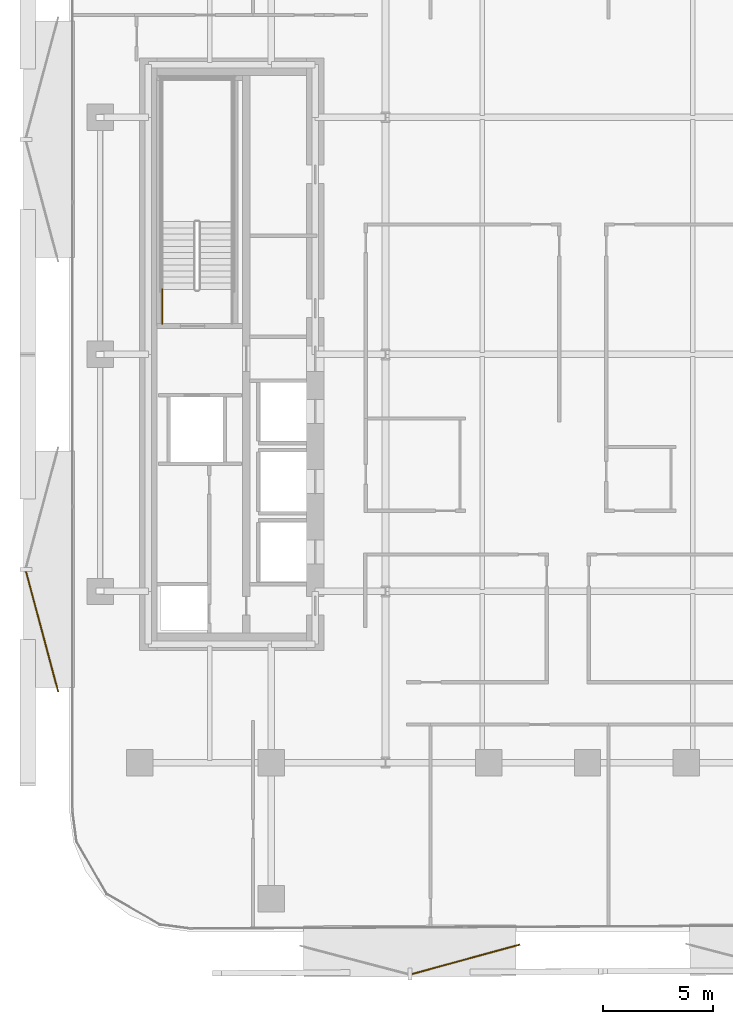
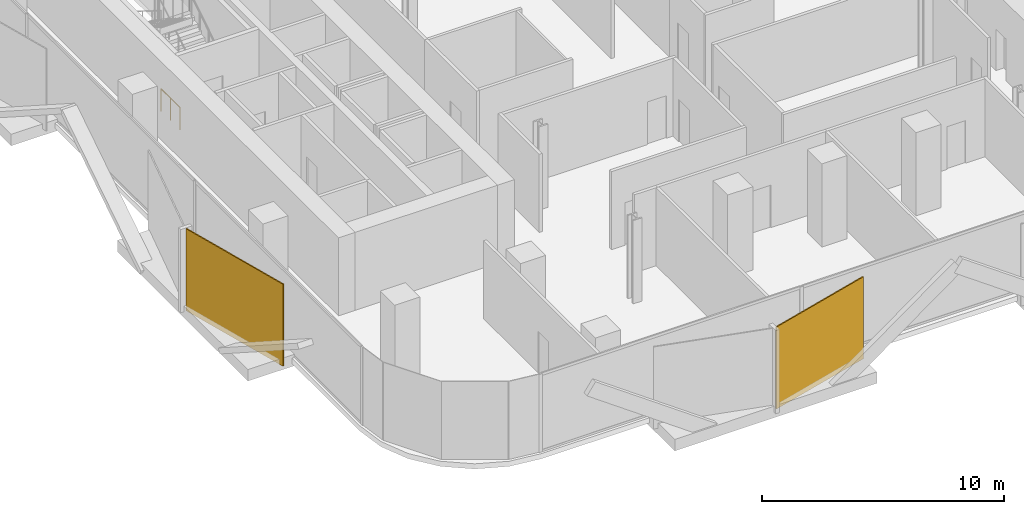
# One storey, part 12 of 16: 2 coverings, 1 railing.
"""IFC4 building model written with IfcOpenShell, lengths in metres."""

from ifc_helpers import new_model, si_unit, direction, frame, origin, origin_2d, place, context, subcontext, project, spatial, rectangle, circle, extrude, material, layer, layer_set, type_object, element, save


model = new_model("IFC4")

# Units and contexts
model_context = context("Model", 3, precision=1e-05, world=origin(), true_north=direction((0.0, 1.0)))
body_context = subcontext(model_context, "Body", "Model", "MODEL_VIEW")
ifc_project = project(units=[si_unit("LENGTHUNIT", "METRE"), si_unit("AREAUNIT", "SQUARE_METRE"), si_unit("VOLUMEUNIT", "CUBIC_METRE"), si_unit("PLANEANGLEUNIT", "RADIAN"), si_unit("MASSUNIT", "GRAM", prefix="KILO")], contexts=[model_context])

# Site, building, storey
site_placement = place(None, origin())
site = spatial("IfcSite", under=ifc_project, at=site_placement, CompositionType="ELEMENT")
building_placement = place(site_placement, origin())
building = spatial("IfcBuilding", under=site, at=building_placement, Name="Khairoan Windgate Tower", CompositionType="ELEMENT")
storey_placement = place(building_placement, frame((0.0, 0.0, 139.39990234375)))
storey = spatial("IfcBuildingStorey", under=building, at=storey_placement, Name="L32", CompositionType="ELEMENT", Elevation=139.39990234375)

# Coverings
ifc_material_1 = material(Name="Anodised Bronze Aluminium 6063-T6", Category="aluminium")
ifc_layer = layer(ifc_material_1, 0.054931640625, Name="Anodised Bronze Aluminium 6063-T6")
ifc_layer_set = layer_set([ifc_layer], Name="Anodised Bronze Aluminium 6063-T6")
covering_type = type_object("IfcCoveringType", Name="Perforated Bronze-Ceramic Folded Solar Screen Cladding BSC-1", PredefinedType="CLADDING", material=ifc_layer_set)
covering_1_placement = place(storey_placement, frame((-5.53564453125, -27.55859375, -0.099609375), z_axis=(0.0, 0.0, 1.0), x_axis=(-0.964649468762, -0.263536339841, 0.0)))
element("IfcCovering", 1, at=covering_1_placement, inside=storey, type_object=covering_type, Name="L32 Folded Bronze Solar Screen Facet 202L", PredefinedType="CLADDING", context=body_context, shape_type="SweptSolid", body=[
    extrude(rectangle(XDim=5.10107421875, YDim=0.054931640625, at=origin_2d()), origin(), (0.0, 0.0, 1.0), 4.139892578125),
])
covering_2_placement = place(storey_placement, frame((-24.8447265625, -12.629150390625, -0.099609375), z_axis=(0.0, 0.0, 1.0), x_axis=(-0.258819045103, 0.965925826289, 0.0)))
element("IfcCovering", 2, at=covering_2_placement, inside=storey, type_object=covering_type, Name="L32 Folded Bronze Solar Screen Facet 203L", PredefinedType="CLADDING", context=body_context, shape_type="SweptSolid", body=[
    extrude(rectangle(XDim=5.680908203125, YDim=0.054931640625, at=origin_2d()), origin(), (0.0, 0.0, 1.0), 4.139892578125),
])

# Railing
ifc_material_2 = material(Name="Steel S355", Category="steel")
railing_type = type_object("IfcRailingType", Name="Stairwell Safety Guardrail SGR-1150", PredefinedType="GUARDRAIL", material=ifc_material_2)
railing_placement = place(storey_placement, frame((-19.3701171875, 1.39990234375, 0.0)))
element("IfcRailing", 3, at=railing_placement, inside=storey, type_object=railing_type, Name="L32 ST2 stair guard 9", PredefinedType="GUARDRAIL", context=body_context, shape_type="SweptSolid", body=[
    extrude(circle(Radius=0.02392578125, at=origin_2d()), frame((0.0, 0.0, 1.1259765625), z_axis=(0.0, 1.0, 0.0), x_axis=(-1.0, 0.0, 0.0)), (0.0, 0.0, 1.0), 1.56005859375),
    extrude(circle(Radius=0.02099609375, at=origin_2d()), origin(), (0.0, 0.0, 1.0), 1.101806640625),
    extrude(circle(Radius=0.02099609375, at=origin_2d()), frame((0.0, 0.780029296875, 0.0)), (0.0, 0.0, 1.0), 1.101806640625),
    extrude(circle(Radius=0.02099609375, at=origin_2d()), frame((0.0, 1.56005859375, 0.0)), (0.0, 0.0, 1.0), 1.101806640625),
])

save(model, "model.ifc")
